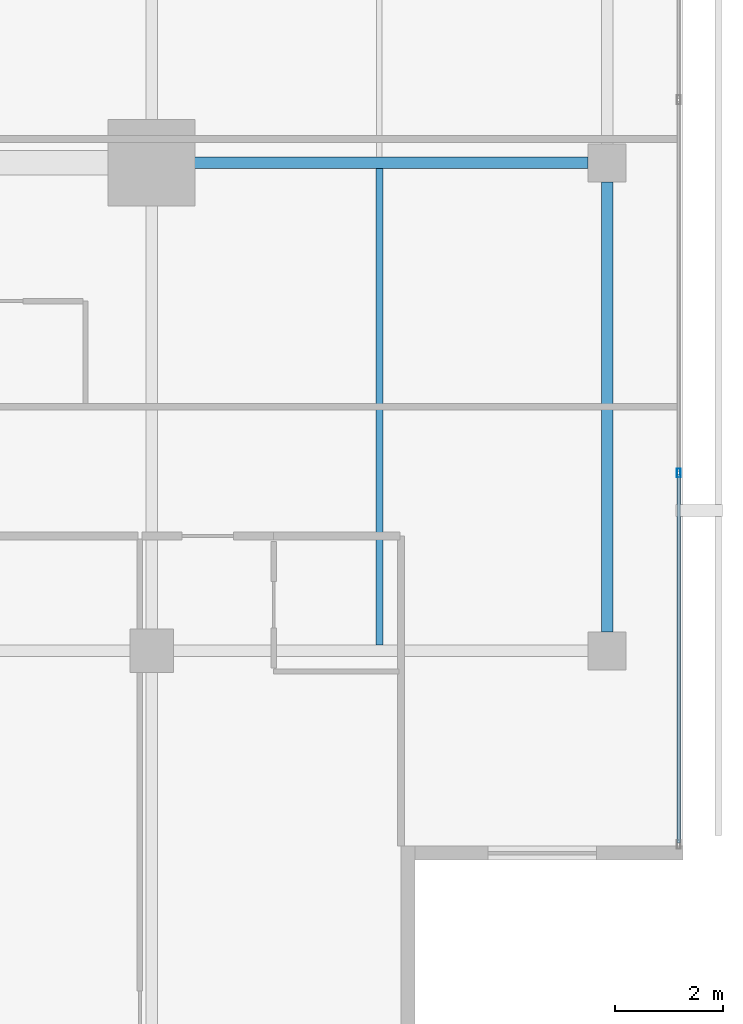
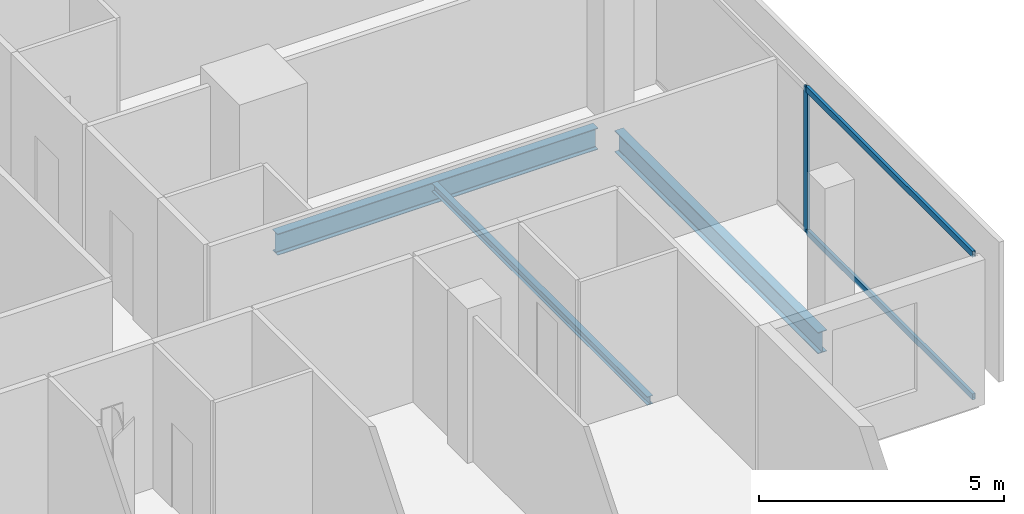
# One storey, part 12 of 25: 3 beams, 3 members, 1 element without a shape of its own.
"""IFC4 building model written with IfcOpenShell, lengths in metres."""

from ifc_helpers import new_model, si_unit, direction, frame, origin, origin_2d, place, context, subcontext, project, spatial, hollow_rectangle, i_section, extrude, material, layer, layer_set, material_profile, profile_set, type_object, element, aggregate, save


model = new_model("IFC4")

# Units and contexts
model_context = context("Model", 3, precision=1e-05, world=origin(), true_north=direction((0.0, 1.0)))
body_context = subcontext(model_context, "Body", "Model", "MODEL_VIEW")
ifc_project = project(units=[si_unit("LENGTHUNIT", "METRE"), si_unit("AREAUNIT", "SQUARE_METRE"), si_unit("VOLUMEUNIT", "CUBIC_METRE"), si_unit("PLANEANGLEUNIT", "RADIAN"), si_unit("MASSUNIT", "GRAM", prefix="KILO")], contexts=[model_context])

# Site, building, storey
site_placement = place(None, origin())
site = spatial("IfcSite", under=ifc_project, at=site_placement, CompositionType="ELEMENT")
building_placement = place(site_placement, origin())
building = spatial("IfcBuilding", under=site, at=building_placement, Name="Maruvema Waterfront Hotel and Observation Tower", CompositionType="ELEMENT")
storey_placement = place(building_placement, frame((0.0, 0.0, 250.949951171875)))
storey = spatial("IfcBuildingStorey", under=building, at=storey_placement, Name="L61", CompositionType="ELEMENT", Elevation=250.949951171875)

# Curtain wall, members
ifc_material_1 = material(Name="Anodised bronze aluminium and solar-control low-E IGU", Category="aluminium")
ifc_layer = layer(ifc_material_1, 0.159912109375, Name="Zone 3 Champagne Inner Thermal Curtain Wall System CW-04")
ifc_layer_set = layer_set([ifc_layer], Name="Anodised bronze aluminium and solar-control low-E IGU")
curtain_wall_type = type_object("IfcCurtainWallType", Name="Zone 3 Champagne Inner Thermal Curtain Wall System CW-04", PredefinedType="USERDEFINED", material=ifc_layer_set)
curtain_wall_placement = place(storey_placement, origin())
curtain_wall = element("IfcCurtainWall", 1, at=curtain_wall_placement, inside=storey, type_object=curtain_wall_type, Name="L61 Curtain Wall CW-L61-E", ObjectType="UNITISED CURTAIN WALL", PredefinedType="USERDEFINED")
ifc_material_2 = material(Name="Anodised architectural bronze aluminium", Category="aluminium")
ifc_material_profile_1 = material_profile(ifc_material_2, hollow_rectangle(XDim=0.070068359375, YDim=0.14990234375, WallThickness=0.00390625, at=origin_2d()), Name="ALU-T70x150")
ifc_profile_set_1 = profile_set([ifc_material_profile_1], Name="Anodised architectural bronze aluminium")
member_type_1 = type_object("IfcMemberType", Name="Curtain Wall Horizontal Transom ALU-T70x150", PredefinedType="USERDEFINED", material=ifc_profile_set_1)
member_1_placement = place(storey_placement, frame((60.1201171875, 14.4599609375, 0.030029296875), z_axis=(0.0, 1.0, 0.0), x_axis=(-1.0, 0.0, 0.0)))
member_1 = element("IfcMember", 2, at=member_1_placement, type_object=member_type_1, Name="CW-04 transom 1.1", ObjectType="TRANSOM", PredefinedType="USERDEFINED", context=body_context, shape_type="SweptSolid", body=[
    extrude(hollow_rectangle(XDim=0.070068359375, YDim=0.14990234375, WallThickness=0.00390625, at=origin_2d()), origin(), (0.0, 0.0, 1.0), 6.7900390625),
])
member_2_placement = place(storey_placement, frame((60.1201171875, 14.4599609375, 3.580078125), z_axis=(0.0, 1.0, 0.0), x_axis=(-1.0, 0.0, 0.0)))
member_2 = element("IfcMember", 3, at=member_2_placement, type_object=member_type_1, Name="CW-04 transom 1.2", ObjectType="TRANSOM", PredefinedType="USERDEFINED", context=body_context, shape_type="SweptSolid", body=[
    extrude(hollow_rectangle(XDim=0.070068359375, YDim=0.14990234375, WallThickness=0.00390625, at=origin_2d()), origin(), (0.0, 0.0, 1.0), 6.7900390625),
])
ifc_material_3 = material(Name="Anodised architectural bronze aluminium", Category="aluminium")
ifc_material_profile_2 = material_profile(ifc_material_3, hollow_rectangle(XDim=0.06494140625, YDim=0.1650390625, WallThickness=0.00390625, at=origin_2d()), Name="ALU-M65x165")
ifc_profile_set_2 = profile_set([ifc_material_profile_2], Name="Anodised architectural bronze aluminium")
member_type_2 = type_object("IfcMemberType", Name="Curtain Wall Primary Mullion ALU-M65x165", PredefinedType="MULLION", material=ifc_profile_set_2)
member_3_placement = place(storey_placement, frame((60.1201171875, 21.280029296875, 0.0), z_axis=(0.0, 0.0, 1.0), x_axis=(-1.0, 0.0, 0.0)))
member_3 = element("IfcMember", 4, at=member_3_placement, type_object=member_type_2, Name="CW-04 mullion 2", PredefinedType="MULLION", context=body_context, shape_type="SweptSolid", body=[
    extrude(hollow_rectangle(XDim=0.06494140625, YDim=0.1650390625, WallThickness=0.00390625, at=origin_2d()), origin(), (0.0, 0.0, 1.0), 3.610107421875),
])
aggregate(curtain_wall, [member_3, member_1, member_2])

# Beams
ifc_material_4 = material(Name="Steel ASTM A572 Grade 50", Category="steel")
ifc_material_profile_3 = material_profile(ifc_material_4, i_section(OverallWidth=0.208984375, OverallDepth=0.532958984375, WebThickness=0.01025390625, FlangeThickness=0.015625, FilletRadius=0.014892578125, at=origin_2d()), Name="W530x92.0")
ifc_profile_set_3 = profile_set([ifc_material_profile_3], Name="Steel ASTM A572 Grade 50")
beam_type_1 = type_object("IfcBeamType", Name="Primary Floor Girder W530x92.0", PredefinedType="BEAM", material=ifc_profile_set_3)
beam_1_placement = place(storey_placement, frame((50.89990234375, 27.0, -0.50634765625), z_axis=(1.0, 0.0, 0.0), x_axis=(0.0, 1.0, 0.0)))
element("IfcBeam", 5, at=beam_1_placement, inside=storey, type_object=beam_type_1, Name="L61 Floor Girder EW-11", PredefinedType="BEAM", context=body_context, shape_type="SweptSolid", body=[
    extrude(i_section(OverallWidth=0.208984375, OverallDepth=0.532958984375, WebThickness=0.01025390625, FlangeThickness=0.015625, FilletRadius=0.014892578125, at=origin_2d()), origin(), (0.0, 0.0, 1.0), 7.550048828125),
])
beam_2_placement = place(storey_placement, frame((58.800048828125, 18.35009765625, -0.50634765625), z_axis=(0.0, 1.0, 0.0), x_axis=(-1.0, 0.0, 0.0)))
element("IfcBeam", 6, at=beam_2_placement, inside=storey, type_object=beam_type_1, Name="L61 Floor Girder NS-16", PredefinedType="BEAM", context=body_context, shape_type="SweptSolid", body=[
    extrude(i_section(OverallWidth=0.208984375, OverallDepth=0.532958984375, WebThickness=0.01025390625, FlangeThickness=0.015625, FilletRadius=0.014892578125, at=origin_2d()), origin(), (0.0, 0.0, 1.0), 8.2998046875),
])
ifc_material_5 = material(Name="Steel ASTM A572 Grade 50", Category="steel")
ifc_material_profile_4 = material_profile(ifc_material_5, i_section(OverallWidth=0.133056640625, OverallDepth=0.20703125, WebThickness=0.005859375, FlangeThickness=0.00830078125, FilletRadius=0.010009765625, at=origin_2d()), Name="W200x26.6")
ifc_profile_set_4 = profile_set([ifc_material_profile_4], Name="Steel ASTM A572 Grade 50")
beam_type_2 = type_object("IfcBeamType", Name="Secondary Floor Joist W200x26.6", PredefinedType="JOIST", material=ifc_profile_set_4)
beam_3_placement = place(storey_placement, frame((54.60009765625, 18.1044921875, -0.343505859375), z_axis=(0.0, 1.0, 0.0), x_axis=(-1.0, 0.0, 0.0)))
element("IfcBeam", 7, at=beam_3_placement, inside=storey, type_object=beam_type_2, Name="L61 Secondary Floor Joist JS-07", PredefinedType="JOIST", context=body_context, shape_type="SweptSolid", body=[
    extrude(i_section(OverallWidth=0.133056640625, OverallDepth=0.20703125, WebThickness=0.005859375, FlangeThickness=0.00830078125, FilletRadius=0.010009765625, at=origin_2d()), origin(), (0.0, 0.0, 1.0), 8.791015625),
])

save(model, "model.ifc")
